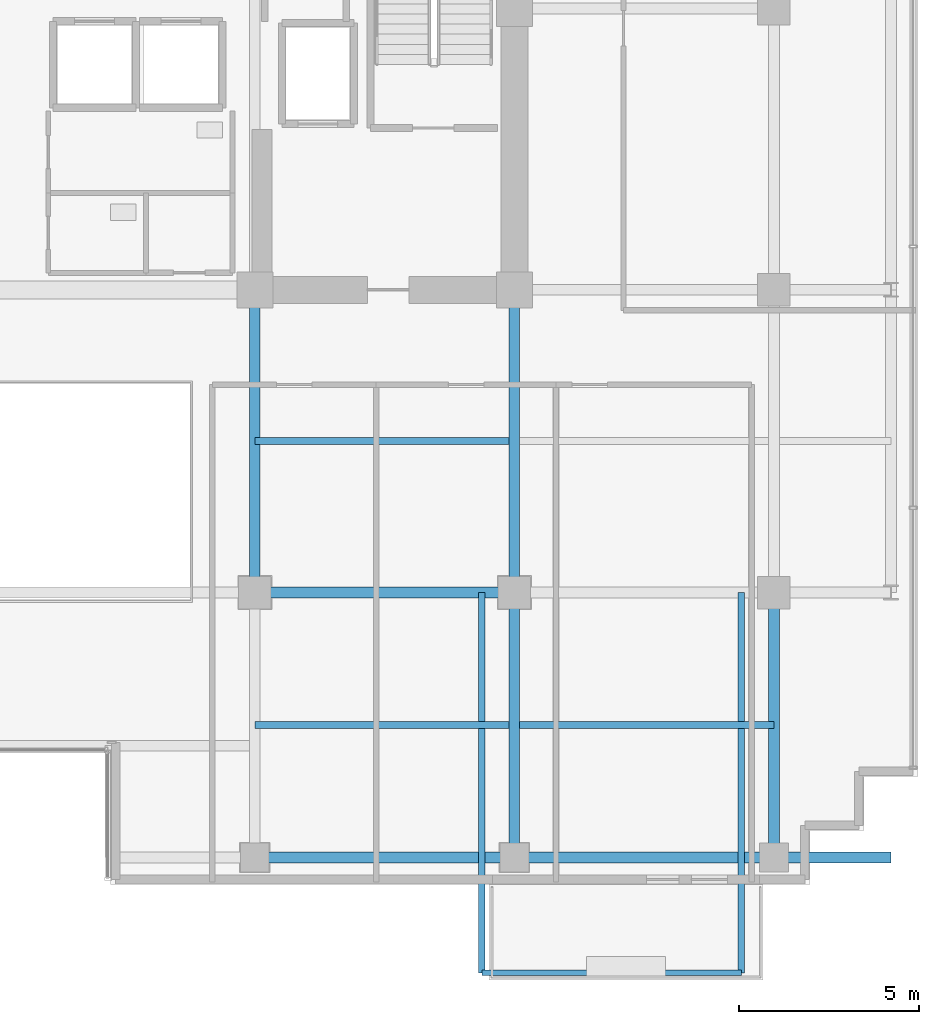
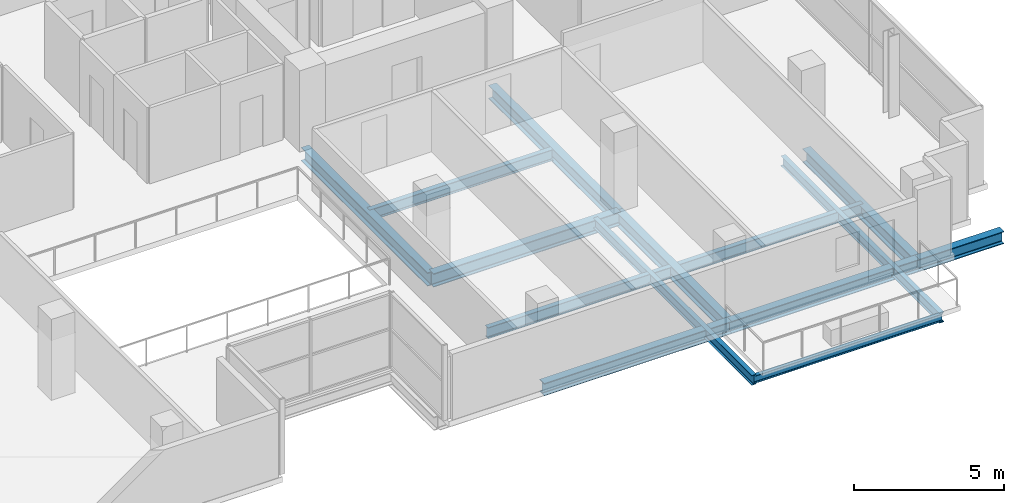
# One storey, part 11 of 28: 14 beams.
"""IFC4 building model written with IfcOpenShell, lengths in metres."""

from ifc_helpers import new_model, si_unit, direction, frame, origin, origin_2d, place, context, subcontext, project, spatial, i_section, extrude, material, material_profile, profile_set, type_object, element, save


model = new_model("IFC4")

# Units and contexts
model_context = context("Model", 3, precision=1e-05, world=origin(), true_north=direction((0.0, 1.0)))
body_context = subcontext(model_context, "Body", "Model", "MODEL_VIEW")
ifc_project = project(units=[si_unit("LENGTHUNIT", "METRE"), si_unit("AREAUNIT", "SQUARE_METRE"), si_unit("VOLUMEUNIT", "CUBIC_METRE"), si_unit("PLANEANGLEUNIT", "RADIAN"), si_unit("MASSUNIT", "GRAM", prefix="KILO")], contexts=[model_context])

# Site, building, storey
site_placement = place(None, origin())
site = spatial("IfcSite", under=ifc_project, at=site_placement, CompositionType="ELEMENT")
building_placement = place(site_placement, origin())
building = spatial("IfcBuilding", under=site, at=building_placement, Name="Zarnakvel Exchange Tower", CompositionType="ELEMENT")
storey_placement = place(building_placement, frame((0.0, 0.0, 109.89990234375)))
storey = spatial("IfcBuildingStorey", under=building, at=storey_placement, Name="L30", CompositionType="ELEMENT", Elevation=109.89990234375)

# Beams
ifc_material = material(Name="Steel S355", Category="steel")
ifc_material_profile_1 = material_profile(ifc_material, i_section(OverallWidth=0.18994140625, OverallDepth=0.449951171875, WebThickness=0.009521484375, FlangeThickness=0.0146484375, FilletRadius=0.02099609375, at=origin_2d()))
ifc_profile_set_1 = profile_set([ifc_material_profile_1], Name="Steel S355")
beam_type_1 = type_object("IfcBeamType", Name="B-05", PredefinedType="JOIST", material=ifc_profile_set_1)
for number, where, z_axis, x_axis, name in (
    (1, (7.199951171875, -13.27490234375, -0.449951171875), (1.0, 0.0, 0.0), (0.0, 1.0, 0.0), "L30 Composite Floor Secondary Joist"),
    (2, (14.550048828125, -13.27490234375, -0.449951171875), (1.0, 0.0, 0.0), (0.0, 1.0, 0.0), "L30 Composite Floor Secondary Joist"),
    (3, (7.199951171875, -5.39990234375, -0.449951171875), (1.0, 0.0, 0.0), (0.0, 1.0, 0.0), "L30 Composite Floor Secondary Joist"),
):
    element("IfcBeam", number, at=place(storey_placement, frame(where, z_axis=z_axis, x_axis=x_axis)), inside=storey, type_object=beam_type_1, Name=name, PredefinedType="JOIST", context=body_context, shape_type="SweptSolid", body=[
        extrude(i_section(OverallWidth=0.18994140625, OverallDepth=0.449951171875, WebThickness=0.009521484375, FlangeThickness=0.0146484375, FilletRadius=0.02099609375, at=origin_2d()), origin(), (0.0, 0.0, 1.0), 7.050048828125),
    ])
ifc_material_profile_2 = material_profile(ifc_material, i_section(OverallWidth=0.179931640625, OverallDepth=0.39990234375, WebThickness=0.008544921875, FlangeThickness=0.013427734375, FilletRadius=0.02099609375, at=origin_2d()))
ifc_profile_set_2 = profile_set([ifc_material_profile_2], Name="Steel S355")
beam_type_2 = type_object("IfcBeamType", Name="B-06", PredefinedType="JOIST", material=ifc_profile_set_2)
for number, where, z_axis, x_axis, name in (
    (4, (13.5, -9.60009765625, -0.4248046875), (0.0, -1.0, 0.0), (1.0, 0.0, 0.0), "L30 Continuous Back-Spanned Balcony Beam W"),
    (5, (20.699951171875, -9.60009765625, -0.4248046875), (0.0, -1.0, 0.0), (1.0, 0.0, 0.0), "L30 Continuous Back-Spanned Balcony Beam E"),
):
    element("IfcBeam", number, at=place(storey_placement, frame(where, z_axis=z_axis, x_axis=x_axis)), inside=storey, type_object=beam_type_2, Name=name, PredefinedType="JOIST", context=body_context, shape_type="SweptSolid", body=[
        extrude(i_section(OverallWidth=0.179931640625, OverallDepth=0.39990234375, WebThickness=0.008544921875, FlangeThickness=0.013427734375, FilletRadius=0.02099609375, at=origin_2d()), origin(), (0.0, 0.0, 1.0), 10.5498046875),
    ])
ifc_material_profile_3 = material_profile(ifc_material, i_section(OverallWidth=0.14990234375, OverallDepth=0.300048828125, WebThickness=0.007080078125, FlangeThickness=0.0107421875, FilletRadius=0.014892578125, at=origin_2d()))
ifc_profile_set_3 = profile_set([ifc_material_profile_3], Name="Steel S355")
beam_type_3 = type_object("IfcBeamType", Name="B-08", PredefinedType="JOIST", material=ifc_profile_set_3)
beam_1_placement = place(storey_placement, frame((13.5, -20.14990234375, -0.375), z_axis=(1.0, 0.0, 0.0), x_axis=(0.0, 1.0, 0.0)))
element("IfcBeam", 6, at=beam_1_placement, inside=storey, type_object=beam_type_3, Name="L30 Balcony Edge Beam", PredefinedType="JOIST", context=body_context, shape_type="SweptSolid", body=[
    extrude(i_section(OverallWidth=0.14990234375, OverallDepth=0.300048828125, WebThickness=0.007080078125, FlangeThickness=0.0107421875, FilletRadius=0.014892578125, at=origin_2d()), origin(), (0.0, 0.0, 1.0), 7.199951171875),
])
ifc_material_profile_4 = material_profile(ifc_material, i_section(OverallWidth=0.300048828125, OverallDepth=0.550048828125, WebThickness=0.014892578125, FlangeThickness=0.029052734375, FilletRadius=0.027099609375, at=origin_2d()))
ifc_profile_set_4 = profile_set([ifc_material_profile_4], Name="Steel S355")
beam_type_4 = type_object("IfcBeamType", Name="G-05", PredefinedType="BEAM", material=ifc_profile_set_4)
beam_2_placement = place(storey_placement, frame((7.199951171875, -9.60009765625, -0.5), z_axis=(1.0, 0.0, 0.0), x_axis=(0.0, 1.0, 0.0)))
element("IfcBeam", 7, at=beam_2_placement, inside=storey, type_object=beam_type_4, Name="L30 Tower E-W Frame Beam", PredefinedType="BEAM", context=body_context, shape_type="SweptSolid", body=[
    extrude(i_section(OverallWidth=0.300048828125, OverallDepth=0.550048828125, WebThickness=0.014892578125, FlangeThickness=0.029052734375, FilletRadius=0.027099609375, at=origin_2d()), origin(), (0.0, 0.0, 1.0), 7.199951171875),
])
beam_3_placement = place(storey_placement, frame((7.199951171875, -9.60009765625, -0.5), z_axis=(0.0, 1.0, 0.0), x_axis=(-1.0, 0.0, 0.0)))
element("IfcBeam", 8, at=beam_3_placement, inside=storey, type_object=beam_type_4, Name="L30 Tower N-S Frame Beam", PredefinedType="BEAM", context=body_context, shape_type="SweptSolid", body=[
    extrude(i_section(OverallWidth=0.300048828125, OverallDepth=0.550048828125, WebThickness=0.014892578125, FlangeThickness=0.029052734375, FilletRadius=0.027099609375, at=origin_2d()), origin(), (0.0, 0.0, 1.0), 8.400146484375),
])
beam_4_placement = place(storey_placement, frame((14.39990234375, -16.949951171875, -0.5), z_axis=(0.0, 1.0, 0.0), x_axis=(-1.0, 0.0, 0.0)))
element("IfcBeam", 9, at=beam_4_placement, inside=storey, type_object=beam_type_4, Name="L30 Tower N-S Frame Beam", PredefinedType="BEAM", context=body_context, shape_type="SweptSolid", body=[
    extrude(i_section(OverallWidth=0.300048828125, OverallDepth=0.550048828125, WebThickness=0.014892578125, FlangeThickness=0.029052734375, FilletRadius=0.027099609375, at=origin_2d()), origin(), (0.0, 0.0, 1.0), 7.349853515625),
])
beam_5_placement = place(storey_placement, frame((14.39990234375, -9.60009765625, -0.5), z_axis=(0.0, 1.0, 0.0), x_axis=(-1.0, 0.0, 0.0)))
element("IfcBeam", 10, at=beam_5_placement, inside=storey, type_object=beam_type_4, Name="L30 Tower N-S Frame Beam", PredefinedType="BEAM", context=body_context, shape_type="SweptSolid", body=[
    extrude(i_section(OverallWidth=0.300048828125, OverallDepth=0.550048828125, WebThickness=0.014892578125, FlangeThickness=0.029052734375, FilletRadius=0.027099609375, at=origin_2d()), origin(), (0.0, 0.0, 1.0), 8.400146484375),
])
beam_6_placement = place(storey_placement, frame((21.60009765625, -16.949951171875, -0.5), z_axis=(0.0, 1.0, 0.0), x_axis=(-1.0, 0.0, 0.0)))
element("IfcBeam", 11, at=beam_6_placement, inside=storey, type_object=beam_type_4, Name="L30 Tower N-S Frame Beam", PredefinedType="BEAM", context=body_context, shape_type="SweptSolid", body=[
    extrude(i_section(OverallWidth=0.300048828125, OverallDepth=0.550048828125, WebThickness=0.014892578125, FlangeThickness=0.029052734375, FilletRadius=0.027099609375, at=origin_2d()), origin(), (0.0, 0.0, 1.0), 7.349853515625),
])
ifc_material_profile_5 = material_profile(ifc_material, i_section(OverallWidth=0.300048828125, OverallDepth=0.5, WebThickness=0.014404296875, FlangeThickness=0.028076171875, FilletRadius=0.027099609375, at=origin_2d()))
ifc_profile_set_5 = profile_set([ifc_material_profile_5], Name="Steel S355")
beam_type_5 = type_object("IfcBeamType", Name="SP-02", PredefinedType="SPANDREL", material=ifc_profile_set_5)
beam_7_placement = place(storey_placement, frame((7.199951171875, -16.949951171875, -0.474853515625), z_axis=(1.0, 0.0, 0.0), x_axis=(0.0, 1.0, 0.0)))
element("IfcBeam", 12, at=beam_7_placement, inside=storey, type_object=beam_type_5, Name="L30 Tower E-W Frame Beam", PredefinedType="SPANDREL", context=body_context, shape_type="SweptSolid", body=[
    extrude(i_section(OverallWidth=0.300048828125, OverallDepth=0.5, WebThickness=0.014404296875, FlangeThickness=0.028076171875, FilletRadius=0.027099609375, at=origin_2d()), origin(), (0.0, 0.0, 1.0), 7.199951171875),
])
beam_8_placement = place(storey_placement, frame((14.39990234375, -16.949951171875, -0.474853515625), z_axis=(1.0, 0.0, 0.0), x_axis=(0.0, 1.0, 0.0)))
element("IfcBeam", 13, at=beam_8_placement, inside=storey, type_object=beam_type_5, Name="L30 Tower E-W Frame Beam", PredefinedType="SPANDREL", context=body_context, shape_type="SweptSolid", body=[
    extrude(i_section(OverallWidth=0.300048828125, OverallDepth=0.5, WebThickness=0.014404296875, FlangeThickness=0.028076171875, FilletRadius=0.027099609375, at=origin_2d()), origin(), (0.0, 0.0, 1.0), 7.2001953125),
])
beam_9_placement = place(storey_placement, frame((21.60009765625, -16.949951171875, -0.474853515625), z_axis=(1.0, 0.0, 0.0), x_axis=(0.0, 1.0, 0.0)))
element("IfcBeam", 14, at=beam_9_placement, inside=storey, type_object=beam_type_5, Name="L30 South-East Corner Spandrel", PredefinedType="SPANDREL", context=body_context, shape_type="SweptSolid", body=[
    extrude(i_section(OverallWidth=0.300048828125, OverallDepth=0.5, WebThickness=0.014404296875, FlangeThickness=0.028076171875, FilletRadius=0.027099609375, at=origin_2d()), origin(), (0.0, 0.0, 1.0), 3.25),
])

save(model, "model.ifc")
